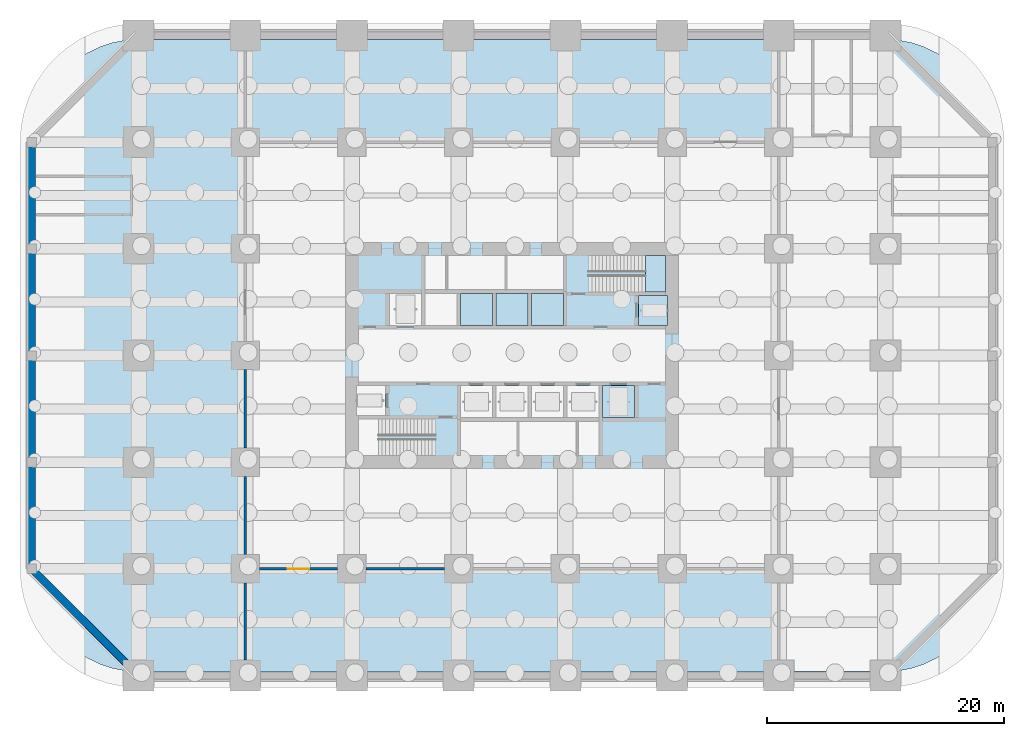
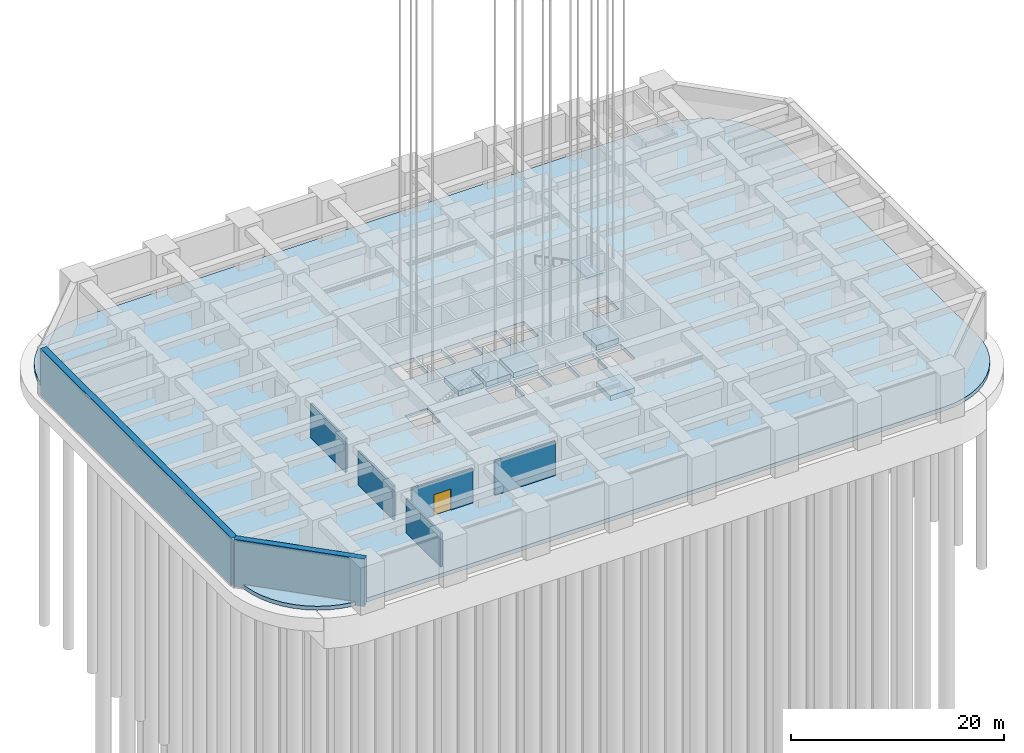
# One storey, part 3 of 24: 7 slabs, 7 walls, 1 door, 1 opening, 1 element without a shape of its own.
"""IFC4 building model written with IfcOpenShell, lengths in metres."""

from ifc_helpers import new_model, si_unit, direction, frame, frame_2d, origin, place, context, subcontext, project, spatial, polyline, rectangle, outline, extrude, material, layer, layer_set, type_object, element, fill, aggregate, save


model = new_model("IFC4")

# Units and contexts
model_context = context("Model", 3, precision=1e-05, world=origin(), true_north=direction((0.0, 1.0)))
body_context = subcontext(model_context, "Body", "Model", "MODEL_VIEW")
ifc_project = project(units=[si_unit("LENGTHUNIT", "METRE"), si_unit("AREAUNIT", "SQUARE_METRE"), si_unit("VOLUMEUNIT", "CUBIC_METRE"), si_unit("PLANEANGLEUNIT", "RADIAN"), si_unit("MASSUNIT", "GRAM", prefix="KILO")], contexts=[model_context])

# Site, building, storey
site_placement = place(None, origin())
site = spatial("IfcSite", under=ifc_project, at=site_placement, CompositionType="ELEMENT")
building_placement = place(site_placement, origin())
building = spatial("IfcBuilding", under=site, at=building_placement, Name="Zorevar Civic Tower", CompositionType="ELEMENT")
storey_placement = place(building_placement, frame((0.0, 0.0, -5.0)))
storey = spatial("IfcBuildingStorey", under=building, at=storey_placement, Name="B1", CompositionType="ELEMENT", Elevation=-5.0)

# Slabs
ifc_material_1 = material(Name="Concrete C35/45", Category="concrete")
ifc_layer_1 = layer(ifc_material_1, 0.449951171875)
ifc_layer_set_1 = layer_set([ifc_layer_1], Name="Base slab 450")
slab_type_1 = type_object("IfcSlabType", Name="Base slab 450", PredefinedType="BASESLAB", material=ifc_layer_set_1)
slab_1_placement = place(storey_placement, frame((0.0, 0.0, -0.449951171875)))
element("IfcSlab", 1, at=slab_1_placement, inside=storey, type_object=slab_type_1, Name="Base slab B1", PredefinedType="BASESLAB", context=body_context, shape_type="SweptSolid", body=[
    extrude(outline(polyline([(62.9892578125, 0.324951171875), (0.0107421875, 0.324951171875), (-1.13232421875, 0.39990234375), (-2.2451171875, 0.621337890625), (-3.319580078125, 0.986083984375), (-4.337158203125, 1.48779296875), (-5.280517578125, 2.1181640625), (-6.133544921875, 2.866455078125), (-6.8818359375, 3.719482421875), (-7.51220703125, 4.662841796875), (-8.013916015625, 5.680419921875), (-8.378662109375, 6.7548828125), (-8.60009765625, 7.86767578125), (-8.675048828125, 9.0107421875), (-8.675048828125, 44.9892578125), (-8.60009765625, 46.13232421875), (-8.378662109375, 47.2451171875), (-8.013916015625, 48.319580078125), (-7.51220703125, 49.337158203125), (-6.8818359375, 50.280517578125), (-6.133544921875, 51.133544921875), (-5.280517578125, 51.8818359375), (-4.337158203125, 52.51220703125), (-3.319580078125, 53.013916015625), (-2.2451171875, 53.378662109375), (-1.13232421875, 53.60009765625), (0.0107421875, 53.675048828125), (62.9892578125, 53.675048828125), (64.13232421875, 53.60009765625), (65.2451171875, 53.378662109375), (66.319580078125, 53.013916015625), (67.337158203125, 52.51220703125), (68.280517578125, 51.8818359375), (69.133544921875, 51.133544921875), (69.8818359375, 50.280517578125), (70.51220703125, 49.337158203125), (71.013916015625, 48.319580078125), (71.378662109375, 47.2451171875), (71.60009765625, 46.13232421875), (71.675048828125, 44.9892578125), (71.675048828125, 9.0107421875), (71.60009765625, 7.86767578125), (71.378662109375, 6.7548828125), (71.013916015625, 5.680419921875), (70.51220703125, 4.662841796875), (69.8818359375, 3.719482421875), (69.133544921875, 2.866455078125), (68.280517578125, 2.1181640625), (67.337158203125, 1.48779296875), (66.319580078125, 0.986083984375), (65.2451171875, 0.621337890625), (64.13232421875, 0.39990234375), (62.9892578125, 0.324951171875)]), holes=[polyline([(18.39990234375, 21.949951171875), (20.85009765625, 21.949951171875), (20.85009765625, 24.449951171875), (18.39990234375, 24.449951171875), (18.39990234375, 21.949951171875)]), polyline([(42.14990234375, 29.550048828125), (44.60009765625, 29.550048828125), (44.60009765625, 32.050048828125), (42.14990234375, 32.050048828125), (42.14990234375, 29.550048828125)]), polyline([(27.14990234375, 21.75), (29.85009765625, 21.75), (29.85009765625, 24.449951171875), (27.14990234375, 24.449951171875), (27.14990234375, 21.75)]), polyline([(33.14990234375, 29.550048828125), (35.85009765625, 29.550048828125), (35.85009765625, 32.25), (33.14990234375, 32.25), (33.14990234375, 29.550048828125)]), polyline([(30.14990234375, 21.75), (32.85009765625, 21.75), (32.85009765625, 24.449951171875), (30.14990234375, 24.449951171875), (30.14990234375, 21.75)]), polyline([(30.14990234375, 29.550048828125), (32.85009765625, 29.550048828125), (32.85009765625, 32.25), (30.14990234375, 32.25), (30.14990234375, 29.550048828125)]), polyline([(33.14990234375, 21.75), (35.85009765625, 21.75), (35.85009765625, 24.449951171875), (33.14990234375, 24.449951171875), (33.14990234375, 21.75)]), polyline([(27.14990234375, 29.550048828125), (29.85009765625, 29.550048828125), (29.85009765625, 32.25), (27.14990234375, 32.25), (27.14990234375, 29.550048828125)]), polyline([(36.14990234375, 21.75), (38.85009765625, 21.75), (38.85009765625, 24.449951171875), (36.14990234375, 24.449951171875), (36.14990234375, 21.75)]), polyline([(24.14990234375, 29.550048828125), (26.85009765625, 29.550048828125), (26.85009765625, 32.25), (24.14990234375, 32.25), (24.14990234375, 29.550048828125)]), polyline([(39.14990234375, 21.75), (41.85009765625, 21.75), (41.85009765625, 24.449951171875), (39.14990234375, 24.449951171875), (39.14990234375, 21.75)]), polyline([(21.14990234375, 29.550048828125), (23.85009765625, 29.550048828125), (23.85009765625, 32.25), (21.14990234375, 32.25), (21.14990234375, 29.550048828125)])]), origin(), (0.0, 0.0, 1.0), 0.449951171875),
])
ifc_material_2 = material(Name="Concrete C35/45", Category="concrete")
ifc_layer_2 = layer(ifc_material_2, 0.60009765625)
ifc_layer_set_2 = layer_set([ifc_layer_2], Name="Lift pit slab 600")
slab_type_2 = type_object("IfcSlabType", Name="Lift pit slab 600", PredefinedType="BASESLAB", material=ifc_layer_set_2)
slab_2_placement = place(storey_placement, frame((0.0, 0.0, -3.949951171875)))
element("IfcSlab", 2, at=slab_2_placement, inside=storey, type_object=slab_type_2, Name="Lift pit slab", PredefinedType="BASESLAB", context=body_context, shape_type="SweptSolid", body=[
    extrude(outline(polyline([(42.14990234375, 29.550048828125), (44.60009765625, 29.550048828125), (44.60009765625, 32.050048828125), (42.14990234375, 32.050048828125), (42.14990234375, 29.550048828125)])), origin(), (0.0, 0.0, 1.0), 0.599853515625),
])
slab_3_placement = place(storey_placement, frame((0.0, 0.0, -3.949951171875)))
element("IfcSlab", 3, at=slab_3_placement, inside=storey, type_object=slab_type_2, Name="Lift pit slab", PredefinedType="BASESLAB", context=body_context, shape_type="SweptSolid", body=[
    extrude(outline(polyline([(33.14990234375, 29.550048828125), (35.85009765625, 29.550048828125), (35.85009765625, 32.25), (33.14990234375, 32.25), (33.14990234375, 29.550048828125)])), origin(), (0.0, 0.0, 1.0), 0.599853515625),
])
slab_4_placement = place(storey_placement, frame((0.0, 0.0, -3.949951171875)))
element("IfcSlab", 4, at=slab_4_placement, inside=storey, type_object=slab_type_2, Name="Lift pit slab", PredefinedType="BASESLAB", context=body_context, shape_type="SweptSolid", body=[
    extrude(outline(polyline([(30.14990234375, 29.550048828125), (32.85009765625, 29.550048828125), (32.85009765625, 32.25), (30.14990234375, 32.25), (30.14990234375, 29.550048828125)])), origin(), (0.0, 0.0, 1.0), 0.599853515625),
])
slab_5_placement = place(storey_placement, frame((0.0, 0.0, -3.949951171875)))
element("IfcSlab", 5, at=slab_5_placement, inside=storey, type_object=slab_type_2, Name="Lift pit slab", PredefinedType="BASESLAB", context=body_context, shape_type="SweptSolid", body=[
    extrude(outline(polyline([(27.14990234375, 29.550048828125), (29.85009765625, 29.550048828125), (29.85009765625, 32.25), (27.14990234375, 32.25), (27.14990234375, 29.550048828125)])), origin(), (0.0, 0.0, 1.0), 0.599853515625),
])
slab_6_placement = place(storey_placement, frame((0.0, 0.0, -3.949951171875)))
element("IfcSlab", 6, at=slab_6_placement, inside=storey, type_object=slab_type_2, Name="Lift pit slab", PredefinedType="BASESLAB", context=body_context, shape_type="SweptSolid", body=[
    extrude(outline(polyline([(39.14990234375, 21.75), (41.85009765625, 21.75), (41.85009765625, 24.449951171875), (39.14990234375, 24.449951171875), (39.14990234375, 21.75)])), origin(), (0.0, 0.0, 1.0), 0.599853515625),
])

# Stair, slab
ifc_material_3 = material(Name="Precast concrete C40/50", Category="concrete")
stair_type = type_object("IfcStairType", Name="Stair ST 34R", PredefinedType="HALF_TURN_STAIR", material=ifc_material_3)
stair_placement = place(storey_placement, origin())
stair = element("IfcStair", 7, at=stair_placement, inside=storey, type_object=stair_type, Name="Stair ST2 B1", PredefinedType="HALF_TURN_STAIR")
ifc_material_4 = material(Name="Concrete C40/50", Category="concrete")
ifc_layer_3 = layer(ifc_material_4, 0.199951171875)
ifc_layer_set_3 = layer_set([ifc_layer_3], Name="Stair landing 200")
slab_type_3 = type_object("IfcSlabType", Name="Stair landing 200", PredefinedType="LANDING", material=ifc_layer_set_3)
slab_7_placement = place(storey_placement, frame((0.0, 0.0, 2.300048828125)))
slab_7 = element("IfcSlab", 8, at=slab_7_placement, type_object=slab_type_3, Name="ST2 landing 1", PredefinedType="LANDING", context=body_context, shape_type="SweptSolid", body=[
    extrude(outline(polyline([(44.449951171875, 32.35009765625), (42.75, 32.35009765625), (42.75, 35.449951171875), (44.449951171875, 35.449951171875), (44.449951171875, 32.35009765625)])), origin(), (0.0, 0.0, 1.0), 0.199951171875),
])
aggregate(stair, [slab_7])

# Walls
ifc_material_5 = material(Name="Concrete blockwork", Category="masonry")
ifc_layer_4 = layer(ifc_material_5, 0.199951171875)
ifc_layer_set_4 = layer_set([ifc_layer_4], Name="Blockwork wall 200")
wall_type_1 = type_object("IfcWallType", Name="Blockwork wall 200", PredefinedType="SOLIDWALL", material=ifc_layer_set_4)
wall_1_placement = place(storey_placement, frame((9.0, 1.300048828125, 0.0), z_axis=(0.0, 0.0, 1.0), x_axis=(0.0, 1.0, 0.0)))
element("IfcWall", 9, at=wall_1_placement, inside=storey, type_object=wall_type_1, Name="Blockwork wall 200 B1", PredefinedType="SOLIDWALL", context=body_context, shape_type="SweptSolid", body=[
    extrude(rectangle(XDim=6.5, YDim=0.199951171875, at=frame_2d((3.25, 0.0))), origin(), (0.0, 0.0, 1.0), 3.89990234375),
])
for number, where, z_axis, x_axis, name in (
    (10, (9.0, 10.199951171875, 0.0), (0.0, 0.0, 1.0), (0.0, 1.0, 0.0), "Blockwork wall 200 B1"),
    (11, (9.0, 19.199951171875, 0.0), (0.0, 0.0, 1.0), (0.0, 1.0, 0.0), "Blockwork wall 200 B1"),
):
    element("IfcWall", number, at=place(storey_placement, frame(where, z_axis=z_axis, x_axis=x_axis)), inside=storey, type_object=wall_type_1, Name=name, PredefinedType="SOLIDWALL", context=body_context, shape_type="SweptSolid", body=[
        extrude(rectangle(XDim=6.60009765625, YDim=0.199951171875, at=frame_2d((3.300048828125, 0.0))), origin(), (0.0, 0.0, 1.0), 3.89990234375),
    ])

# Wall, opening, door
wall_2_placement = place(storey_placement, frame((10.199951171875, 9.0, 0.0), z_axis=(0.0, 0.0, 1.0), x_axis=(1.0, 0.0, 0.0)))
wall_2 = element("IfcWall", 12, at=wall_2_placement, inside=storey, type_object=wall_type_1, Name="Blockwork wall 200 B1", PredefinedType="SOLIDWALL", context=body_context, shape_type="SweptSolid", body=[
    extrude(rectangle(XDim=6.60009765625, YDim=0.199951171875, at=frame_2d((3.300048828125, 0.0))), origin(), (0.0, 0.0, 1.0), 3.89990234375),
])
opening_placement = place(wall_2_placement, frame((2.39990234375, 0.0, 0.0)))
opening = element("IfcOpeningElement", 13, at=opening_placement, cuts=wall_2, Name="Opening B1.19", PredefinedType="OPENING", context=body_context, shape_type="SweptSolid", body=[
    extrude(rectangle(XDim=1.800048828125, YDim=2.39990234375, at=frame_2d((0.89990234375, 1.199951171875))), frame((0.0, 0.10986328125, 0.0), z_axis=(0.0, -1.0, 0.0), x_axis=(1.0, 0.0, 0.0)), (0.0, 0.0, 1.0), 0.219970703125),
])
ifc_material_6 = material(Name="Steel door set", Category="steel")
door_type = type_object("IfcDoorType", Name="Door D2 1800x2400", OperationType="DOUBLE_DOOR_SINGLE_SWING", PredefinedType="DOOR", material=ifc_material_6)
door_placement = place(opening_placement, origin())
door = element("IfcDoor", 14, at=door_placement, inside=storey, type_object=door_type, Name="Door B1 D3", OperationType="DOUBLE_DOOR_SINGLE_SWING", OverallHeight=2.39990234375, OverallWidth=1.800048828125, PredefinedType="DOOR", context=body_context, shape_type="SweptSolid", body=[
    extrude(rectangle(XDim=1.800048828125, YDim=2.39990234375, at=frame_2d((0.89990234375, 1.199951171875))), frame((0.0, 0.02490234375, 0.0), z_axis=(0.0, -1.0, 0.0), x_axis=(1.0, 0.0, 0.0)), (0.0, 0.0, 1.0), 0.050048828125),
])
fill(opening, door)

# Walls
wall_3_placement = place(storey_placement, frame((19.199951171875, 9.0, 0.0), z_axis=(0.0, 0.0, 1.0), x_axis=(1.0, 0.0, 0.0)))
element("IfcWall", 15, at=wall_3_placement, inside=storey, type_object=wall_type_1, Name="Blockwork wall 200 B1", PredefinedType="SOLIDWALL", context=body_context, shape_type="SweptSolid", body=[
    extrude(rectangle(XDim=6.60009765625, YDim=0.199951171875, at=frame_2d((3.300048828125, 0.0))), origin(), (0.0, 0.0, 1.0), 3.89990234375),
])
ifc_material_7 = material(Name="Concrete C40/50", Category="concrete")
ifc_layer_5 = layer(ifc_material_7, 0.64990234375)
ifc_layer_set_5 = layer_set([ifc_layer_5], Name="Retaining wall 650")
wall_type_2 = type_object("IfcWallType", Name="Retaining wall 650", PredefinedType="SOLIDWALL", material=ifc_layer_set_5)
wall_4_placement = place(storey_placement, frame((-9.0, 45.0, -0.449951171875), z_axis=(0.0, 0.0, 1.0), x_axis=(0.0, -1.0, 0.0)))
element("IfcWall", 16, at=wall_4_placement, inside=storey, type_object=wall_type_2, Name="Retaining wall 4", PredefinedType="SOLIDWALL", context=body_context, shape_type="SweptSolid", body=[
    extrude(rectangle(XDim=36.0, YDim=0.64990234375, at=frame_2d((18.0, 0.0))), origin(), (0.0, 0.0, 1.0), 5.449951171875),
])
wall_5_placement = place(storey_placement, frame((-9.0, 9.0, -0.449951171875), z_axis=(0.0, 0.0, 1.0), x_axis=(0.707106781187, -0.707106781187, 0.0)))
element("IfcWall", 17, at=wall_5_placement, inside=storey, type_object=wall_type_2, Name="Retaining wall 8", PredefinedType="SOLIDWALL", context=body_context, shape_type="SweptSolid", body=[
    extrude(rectangle(XDim=12.72802734375, YDim=0.64990234375, at=frame_2d((6.364013671875, 0.0))), origin(), (0.0, 0.0, 1.0), 5.449951171875),
])

save(model, "model.ifc")
